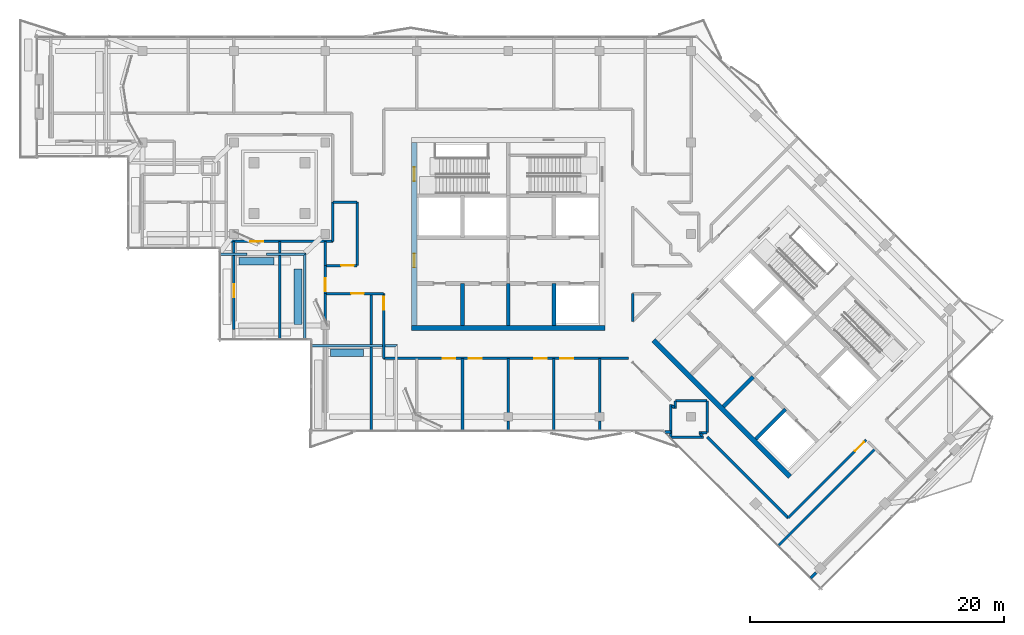
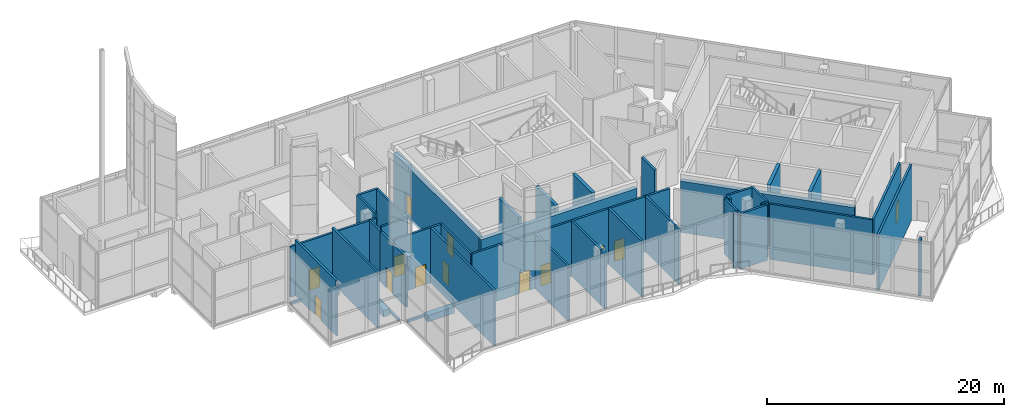
# One storey, part 12 of 19: 49 walls, 13 doors, 13 openings.
"""IFC4 building model written with IfcOpenShell, lengths in metres."""

from ifc_helpers import new_model, si_unit, direction, frame, frame_2d, origin, place, context, subcontext, project, spatial, polyline, rectangle, outline, extrude, material, layer, layer_set, type_object, element, fill, save


model = new_model("IFC4")

# Units and contexts
model_context = context("Model", 3, precision=1e-05, world=origin(), true_north=direction((0.0, 1.0)))
body_context = subcontext(model_context, "Body", "Model", "MODEL_VIEW")
ifc_project = project(units=[si_unit("LENGTHUNIT", "METRE"), si_unit("AREAUNIT", "SQUARE_METRE"), si_unit("VOLUMEUNIT", "CUBIC_METRE"), si_unit("PLANEANGLEUNIT", "RADIAN"), si_unit("MASSUNIT", "GRAM", prefix="KILO")], contexts=[model_context])

# Site, building, storey
site_placement = place(None, origin())
site = spatial("IfcSite", under=ifc_project, at=site_placement, CompositionType="ELEMENT")
building_placement = place(site_placement, origin())
building = spatial("IfcBuilding", under=site, at=building_placement, Name="Windrow Commons", CompositionType="ELEMENT")
storey_placement = place(building_placement, frame((0.0, 0.0, 284.6)))
storey = spatial("IfcBuildingStorey", under=building, at=storey_placement, Name="L78", CompositionType="ELEMENT", Elevation=284.6)

# Wall, openings, doors
ifc_material_1 = material(Name="Blockwork partition", Category="masonry")
ifc_layer_1 = layer(ifc_material_1, 0.2)
ifc_layer_set_1 = layer_set([ifc_layer_1], Name="IW-CORRIDOR-200")
wall_type_1 = type_object("IfcWallType", Name="IW-CORRIDOR-200", PredefinedType="PARTITIONING", material=ifc_layer_set_1)
wall_1_placement = place(storey_placement, frame((55.0, 47.8, 0.0), z_axis=(0.0, 0.0, 1.0), x_axis=(1.0, 0.0, 0.0)))
wall_1 = element("IfcWall", 1, at=wall_1_placement, inside=storey, type_object=wall_type_1, Name="W-L78-W004", PredefinedType="PARTITIONING", context=body_context, shape_type="SweptSolid", body=[
    extrude(rectangle(XDim=19.266, YDim=0.2, at=frame_2d((9.633, 0.0))), origin(), (0.0, 0.0, 1.0), 5.7),
])
opening_1_placement = place(wall_1_placement, frame((4.6325, 0.0, 0.0)))
opening_1 = element("IfcOpeningElement", 2, at=opening_1_placement, cuts=wall_1, Name="Opening D410F", PredefinedType="OPENING", context=body_context, shape_type="SweptSolid", body=[
    extrude(rectangle(XDim=1.0, YDim=2.1, at=frame_2d((0.5, 1.05))), frame((0.0, 0.11, 0.0), z_axis=(0.0, -1.0, 0.0), x_axis=(1.0, 0.0, 0.0)), (0.0, 0.0, 1.0), 0.22),
])
opening_2_placement = place(wall_1_placement, frame((6.7075, 0.0, 0.0)))
opening_2 = element("IfcOpeningElement", 3, at=opening_2_placement, cuts=wall_1, Name="Opening D410F", PredefinedType="OPENING", context=body_context, shape_type="SweptSolid", body=[
    extrude(rectangle(XDim=1.0, YDim=2.1, at=frame_2d((0.5, 1.05))), frame((0.0, 0.11, 0.0), z_axis=(0.0, -1.0, 0.0), x_axis=(1.0, 0.0, 0.0)), (0.0, 0.0, 1.0), 0.22),
])
opening_3_placement = place(wall_1_placement, frame((11.8325, 0.0, 0.0)))
opening_3 = element("IfcOpeningElement", 4, at=opening_3_placement, cuts=wall_1, Name="Opening D410F", PredefinedType="OPENING", context=body_context, shape_type="SweptSolid", body=[
    extrude(rectangle(XDim=1.0, YDim=2.1, at=frame_2d((0.5, 1.05))), frame((0.0, 0.11, 0.0), z_axis=(0.0, -1.0, 0.0), x_axis=(1.0, 0.0, 0.0)), (0.0, 0.0, 1.0), 0.22),
])
opening_4_placement = place(wall_1_placement, frame((13.9075, 0.0, 0.0)))
opening_4 = element("IfcOpeningElement", 5, at=opening_4_placement, cuts=wall_1, Name="Opening D410F", PredefinedType="OPENING", context=body_context, shape_type="SweptSolid", body=[
    extrude(rectangle(XDim=1.0, YDim=2.1, at=frame_2d((0.5, 1.05))), frame((0.0, 0.11, 0.0), z_axis=(0.0, -1.0, 0.0), x_axis=(1.0, 0.0, 0.0)), (0.0, 0.0, 1.0), 0.22),
])
ifc_material_2 = material(Name="Timber door leaf", Category="wood")
door_type_1 = type_object("IfcDoorType", Name="DT-SERVICE-1000", OperationType="SINGLE_SWING_LEFT", PredefinedType="DOOR", material=ifc_material_2)
door_1_placement = place(opening_1_placement, origin())
door_1 = element("IfcDoor", 6, at=door_1_placement, inside=storey, type_object=door_type_1, Name="D-L78-D017", OperationType="SINGLE_SWING_LEFT", OverallHeight=2.1, OverallWidth=1.0, PredefinedType="DOOR", context=body_context, shape_type="SweptSolid", body=[
    extrude(rectangle(XDim=1.0, YDim=2.1, at=frame_2d((0.5, 1.05))), frame((0.0, 0.025, 0.0), z_axis=(0.0, -1.0, 0.0), x_axis=(1.0, 0.0, 0.0)), (0.0, 0.0, 1.0), 0.05),
])
fill(opening_1, door_1)
door_2_placement = place(opening_2_placement, origin())
door_2 = element("IfcDoor", 7, at=door_2_placement, inside=storey, type_object=door_type_1, Name="D-L78-D018", OperationType="SINGLE_SWING_RIGHT", OverallHeight=2.1, OverallWidth=1.0, PredefinedType="DOOR", context=body_context, shape_type="SweptSolid", body=[
    extrude(rectangle(XDim=1.0, YDim=2.1, at=frame_2d((0.5, 1.05))), frame((0.0, 0.025, 0.0), z_axis=(0.0, -1.0, 0.0), x_axis=(1.0, 0.0, 0.0)), (0.0, 0.0, 1.0), 0.05),
])
fill(opening_2, door_2)
door_3_placement = place(opening_3_placement, origin())
door_3 = element("IfcDoor", 8, at=door_3_placement, inside=storey, type_object=door_type_1, Name="D-L78-D019", OperationType="SINGLE_SWING_LEFT", OverallHeight=2.1, OverallWidth=1.0, PredefinedType="DOOR", context=body_context, shape_type="SweptSolid", body=[
    extrude(rectangle(XDim=1.0, YDim=2.1, at=frame_2d((0.5, 1.05))), frame((0.0, 0.025, 0.0), z_axis=(0.0, -1.0, 0.0), x_axis=(1.0, 0.0, 0.0)), (0.0, 0.0, 1.0), 0.05),
])
fill(opening_3, door_3)
door_4_placement = place(opening_4_placement, origin())
door_4 = element("IfcDoor", 9, at=door_4_placement, inside=storey, type_object=door_type_1, Name="D-L78-D020", OperationType="SINGLE_SWING_RIGHT", OverallHeight=2.1, OverallWidth=1.0, PredefinedType="DOOR", context=body_context, shape_type="SweptSolid", body=[
    extrude(rectangle(XDim=1.0, YDim=2.1, at=frame_2d((0.5, 1.05))), frame((0.0, 0.025, 0.0), z_axis=(0.0, -1.0, 0.0), x_axis=(1.0, 0.0, 0.0)), (0.0, 0.0, 1.0), 0.05),
])
fill(opening_4, door_4)

# Wall
wall_2_placement = place(storey_placement, frame((80.4715, 41.6035, 0.0), z_axis=(0.0, 0.0, 1.0), x_axis=(0.7071067812, -0.7071067812, 0.0)))
element("IfcWall", 10, at=wall_2_placement, inside=storey, type_object=wall_type_1, Name="W-L78-W009", PredefinedType="PARTITIONING", context=body_context, shape_type="SweptSolid", body=[
    extrude(rectangle(XDim=9.0057, YDim=0.2, at=frame_2d((4.5028, 0.0))), origin(), (0.0, 0.0, 1.0), 5.7),
])

# Wall, opening, door
wall_3_placement = place(storey_placement, frame((86.8373, 35.2327, 0.0), z_axis=(0.0, 0.0, 1.0), x_axis=(0.7071067812, 0.7071067812, 0.0)))
wall_3 = element("IfcWall", 11, at=wall_3_placement, inside=storey, type_object=wall_type_1, Name="W-L78-W011", PredefinedType="PARTITIONING", context=body_context, shape_type="SweptSolid", body=[
    extrude(rectangle(XDim=8.6974, YDim=0.2, at=frame_2d((4.3487, 0.0))), origin(), (0.0, 0.0, 1.0), 5.7),
])
opening_5_placement = place(wall_3_placement, frame((7.45, 0.0, 0.0)))
opening_5 = element("IfcOpeningElement", 12, at=opening_5_placement, cuts=wall_3, Name="Opening D410F", PredefinedType="OPENING", context=body_context, shape_type="SweptSolid", body=[
    extrude(rectangle(XDim=1.0, YDim=2.1, at=frame_2d((0.5, 1.05))), frame((0.0, 0.11, 0.0), z_axis=(0.0, -1.0, 0.0), x_axis=(1.0, 0.0, 0.0)), (0.0, 0.0, 1.0), 0.22),
])
door_5_placement = place(opening_5_placement, origin())
door_5 = element("IfcDoor", 13, at=door_5_placement, inside=storey, type_object=door_type_1, Name="D-L78-D026", OperationType="SINGLE_SWING_LEFT", OverallHeight=2.1, OverallWidth=1.0, PredefinedType="DOOR", context=body_context, shape_type="SweptSolid", body=[
    extrude(rectangle(XDim=1.0, YDim=2.1, at=frame_2d((0.5, 1.05))), frame((0.0, 0.025, 0.0), z_axis=(0.0, -1.0, 0.0), x_axis=(1.0, 0.0, 0.0)), (0.0, 0.0, 1.0), 0.05),
])
fill(opening_5, door_5)

wall_4_placement = place(storey_placement, frame((55.0, 47.8, 0.0), z_axis=(0.0, 0.0, 1.0), x_axis=(0.0, 1.0, 0.0)))
wall_4 = element("IfcWall", 14, at=wall_4_placement, inside=storey, type_object=wall_type_1, Name="W-L78-W029", PredefinedType="PARTITIONING", context=body_context, shape_type="SweptSolid", body=[
    extrude(rectangle(XDim=5.1, YDim=0.2, at=frame_2d((2.55, 0.0))), origin(), (0.0, 0.0, 1.0), 5.7),
])
opening_6_placement = place(wall_4_placement, frame((3.8392, 0.0, 0.0)))
opening_6 = element("IfcOpeningElement", 15, at=opening_6_placement, cuts=wall_4, Name="Opening D410F", PredefinedType="OPENING", context=body_context, shape_type="SweptSolid", body=[
    extrude(rectangle(XDim=1.0, YDim=2.1, at=frame_2d((0.5, 1.05))), frame((0.0, 0.11, 0.0), z_axis=(0.0, -1.0, 0.0), x_axis=(1.0, 0.0, 0.0)), (0.0, 0.0, 1.0), 0.22),
])
door_6_placement = place(opening_6_placement, origin())
door_6 = element("IfcDoor", 16, at=door_6_placement, inside=storey, type_object=door_type_1, Name="D-L78-D014", OperationType="SINGLE_SWING_RIGHT", OverallHeight=2.1, OverallWidth=1.0, PredefinedType="DOOR", context=body_context, shape_type="SweptSolid", body=[
    extrude(rectangle(XDim=1.0, YDim=2.1, at=frame_2d((0.5, 1.05))), frame((0.0, 0.025, 0.0), z_axis=(0.0, -1.0, 0.0), x_axis=(1.0, 0.0, 0.0)), (0.0, 0.0, 1.0), 0.05),
])
fill(opening_6, door_6)

# Wall
wall_5_placement = place(storey_placement, frame((52.9, 55.102, 0.0), z_axis=(0.0, 0.0, 1.0), x_axis=(0.0, 1.0, 0.0)))
element("IfcWall", 17, at=wall_5_placement, inside=storey, type_object=wall_type_1, Name="W-L78-W031", PredefinedType="PARTITIONING", context=body_context, shape_type="SweptSolid", body=[
    extrude(rectangle(XDim=4.998, YDim=0.2, at=frame_2d((2.499, 0.0))), origin(), (0.0, 0.0, 1.0), 5.7),
])

# Wall, opening, door
wall_6_placement = place(storey_placement, frame((50.4, 52.9, 0.0), z_axis=(0.0, 0.0, 1.0), x_axis=(1.0, 0.0, 0.0)))
wall_6 = element("IfcWall", 18, at=wall_6_placement, inside=storey, type_object=wall_type_1, Name="W-L78-W035", PredefinedType="PARTITIONING", context=body_context, shape_type="SweptSolid", body=[
    extrude(rectangle(XDim=4.6, YDim=0.2, at=frame_2d((2.3, 0.0))), origin(), (0.0, 0.0, 1.0), 5.7),
])
opening_7_placement = place(wall_6_placement, frame((2.0325, 0.0, 0.0)))
opening_7 = element("IfcOpeningElement", 19, at=opening_7_placement, cuts=wall_6, Name="Opening D410F", PredefinedType="OPENING", context=body_context, shape_type="SweptSolid", body=[
    extrude(rectangle(XDim=1.0, YDim=2.1, at=frame_2d((0.5, 1.05))), frame((0.0, 0.11, 0.0), z_axis=(0.0, -1.0, 0.0), x_axis=(1.0, 0.0, 0.0)), (0.0, 0.0, 1.0), 0.22),
])
door_7_placement = place(opening_7_placement, origin())
door_7 = element("IfcDoor", 20, at=door_7_placement, inside=storey, type_object=door_type_1, Name="D-L78-D013", OperationType="SINGLE_SWING_LEFT", OverallHeight=2.1, OverallWidth=1.0, PredefinedType="DOOR", context=body_context, shape_type="SweptSolid", body=[
    extrude(rectangle(XDim=1.0, YDim=2.1, at=frame_2d((0.5, 1.05))), frame((0.0, 0.025, 0.0), z_axis=(0.0, -1.0, 0.0), x_axis=(1.0, 0.0, 0.0)), (0.0, 0.0, 1.0), 0.05),
])
fill(opening_7, door_7)

wall_7_placement = place(storey_placement, frame((50.4, 55.1, 0.0), z_axis=(0.0, 0.0, 1.0), x_axis=(1.0, 0.0, 0.0)))
wall_7 = element("IfcWall", 21, at=wall_7_placement, inside=storey, type_object=wall_type_1, Name="W-L78-W059", PredefinedType="PARTITIONING", context=body_context, shape_type="SweptSolid", body=[
    extrude(rectangle(XDim=2.5, YDim=0.2, at=frame_2d((1.25, 0.0))), origin(), (0.0, 0.0, 1.0), 5.7),
])
opening_8_placement = place(wall_7_placement, frame((1.2471, 0.0, 0.0)))
opening_8 = element("IfcOpeningElement", 22, at=opening_8_placement, cuts=wall_7, Name="Opening D410F", PredefinedType="OPENING", context=body_context, shape_type="SweptSolid", body=[
    extrude(rectangle(XDim=1.0, YDim=2.1, at=frame_2d((0.5, 1.05))), frame((0.0, 0.11, 0.0), z_axis=(0.0, -1.0, 0.0), x_axis=(1.0, 0.0, 0.0)), (0.0, 0.0, 1.0), 0.22),
])
door_8_placement = place(opening_8_placement, origin())
door_8 = element("IfcDoor", 23, at=door_8_placement, inside=storey, type_object=door_type_1, Name="D-L78-D000", OperationType="SINGLE_SWING_RIGHT", OverallHeight=2.1, OverallWidth=1.0, PredefinedType="DOOR", context=body_context, shape_type="SweptSolid", body=[
    extrude(rectangle(XDim=1.0, YDim=2.1, at=frame_2d((0.5, 1.05))), frame((0.0, 0.025, 0.0), z_axis=(0.0, -1.0, 0.0), x_axis=(1.0, 0.0, 0.0)), (0.0, 0.0, 1.0), 0.05),
])
fill(opening_8, door_8)

# Walls
for number, where, z_axis, x_axis, name in (
    (24, (80.45, 41.952, 0.0), (0.0, 0.0, 1.0), (0.0, 1.0, 0.0), "W-L78-W060"),
    (25, (77.952, 44.45, 0.0), (0.0, 0.0, 1.0), (1.0, 0.0, 0.0), "W-L78-W061"),
):
    element("IfcWall", number, at=place(storey_placement, frame(where, z_axis=z_axis, x_axis=x_axis)), inside=storey, type_object=wall_type_1, Name=name, PredefinedType="PARTITIONING", context=body_context, shape_type="SweptSolid", body=[
        extrude(rectangle(XDim=2.498, YDim=0.2, at=frame_2d((1.249, 0.0))), origin(), (0.0, 0.0, 1.0), 5.7),
    ])

# Wall, opening, door
wall_8_placement = place(storey_placement, frame((50.4, 52.9, 0.0), z_axis=(0.0, 0.0, 1.0), x_axis=(0.0, 1.0, 0.0)))
wall_8 = element("IfcWall", 26, at=wall_8_placement, inside=storey, type_object=wall_type_1, Name="W-L78-W064", PredefinedType="PARTITIONING", context=body_context, shape_type="SweptSolid", body=[
    extrude(rectangle(XDim=2.2, YDim=0.2, at=frame_2d((1.1, 0.0))), origin(), (0.0, 0.0, 1.0), 5.2),
])
opening_9_placement = place(wall_8_placement, frame((0.1933, 0.0, 0.0)))
opening_9 = element("IfcOpeningElement", 27, at=opening_9_placement, cuts=wall_8, Name="Opening D410F", PredefinedType="OPENING", context=body_context, shape_type="SweptSolid", body=[
    extrude(rectangle(XDim=1.0, YDim=2.1, at=frame_2d((0.5, 1.05))), frame((0.0, 0.11, 0.0), z_axis=(0.0, -1.0, 0.0), x_axis=(1.0, 0.0, 0.0)), (0.0, 0.0, 1.0), 0.22),
])
door_9_placement = place(opening_9_placement, origin())
door_9 = element("IfcDoor", 28, at=door_9_placement, inside=storey, type_object=door_type_1, Name="D-L78-D012", OperationType="SINGLE_SWING_LEFT", OverallHeight=2.1, OverallWidth=1.0, PredefinedType="DOOR", context=body_context, shape_type="SweptSolid", body=[
    extrude(rectangle(XDim=1.0, YDim=2.1, at=frame_2d((0.5, 1.05))), frame((0.0, 0.025, 0.0), z_axis=(0.0, -1.0, 0.0), x_axis=(1.0, 0.0, 0.0)), (0.0, 0.0, 1.0), 0.05),
])
fill(opening_9, door_9)

# Walls
wall_9_placement = place(storey_placement, frame((74.6, 50.714, 0.0), z_axis=(0.0, 0.0, 1.0), x_axis=(0.0, 1.0, 0.0)))
element("IfcWall", 29, at=wall_9_placement, inside=storey, type_object=wall_type_1, Name="W-L78-W068", PredefinedType="PARTITIONING", context=body_context, shape_type="SweptSolid", body=[
    extrude(rectangle(XDim=2.186, YDim=0.2, at=frame_2d((1.093, 0.0))), origin(), (0.0, 0.0, 1.0), 5.7),
])
wall_10_placement = place(storey_placement, frame((51.0, 60.1, 0.0), z_axis=(0.0, 0.0, 1.0), x_axis=(1.0, 0.0, 0.0)))
element("IfcWall", 30, at=wall_10_placement, inside=storey, type_object=wall_type_1, Name="W-L78-W077", PredefinedType="PARTITIONING", context=body_context, shape_type="SweptSolid", body=[
    extrude(rectangle(XDim=1.9, YDim=0.2, at=frame_2d((0.95, 0.0))), origin(), (0.0, 0.0, 1.0), 5.7),
])
for number, where, z_axis, x_axis, name in (
    (31, (79.834, 41.95, 0.0), (0.0, 0.0, 1.0), (1.0, 0.0, 0.0), "W-L78-W107"),
    (32, (77.95, 43.834, 0.0), (0.0, 0.0, 1.0), (0.0, 1.0, 0.0), "W-L78-W108"),
):
    element("IfcWall", number, at=place(storey_placement, frame(where, z_axis=z_axis, x_axis=x_axis)), inside=storey, type_object=wall_type_1, Name=name, PredefinedType="PARTITIONING", context=body_context, shape_type="SweptSolid", body=[
        extrude(rectangle(XDim=0.616, YDim=0.2, at=frame_2d((0.308, 0.0))), origin(), (0.0, 0.0, 1.0), 5.7),
    ])
for number, where, z_axis, x_axis, name in (
    (33, (77.696, 44.082, 0.0), (0.0, 0.0, 1.0), (0.7068844555, -0.707329037, 0.0), "W-L78-W116"),
    (34, (79.9229, 41.855, 0.0), (0.0, 0.0, 1.0), (0.707329037, -0.7068844555, 0.0), "W-L78-W117"),
):
    element("IfcWall", number, at=place(storey_placement, frame(where, z_axis=z_axis, x_axis=x_axis)), inside=storey, type_object=wall_type_1, Name=name, PredefinedType="PARTITIONING", context=body_context, shape_type="SweptSolid", body=[
        extrude(rectangle(XDim=0.2249, YDim=0.2, at=frame_2d((0.1124, 0.0))), origin(), (0.0, 0.0, 1.0), 5.7),
    ])
ifc_material_3 = material(Name="Blockwork partition", Category="masonry")
ifc_layer_2 = layer(ifc_material_3, 0.2)
ifc_layer_set_2 = layer_set([ifc_layer_2], Name="IW-PARTY-200")
wall_type_2 = type_object("IfcWallType", Name="IW-PARTY-200", PredefinedType="PARTITIONING", material=ifc_layer_set_2)
wall_11_placement = place(storey_placement, frame((86.0794, 33.0606, 0.0), z_axis=(0.0, 0.0, 1.0), x_axis=(0.7071067812, 0.7071067812, 0.0)))
element("IfcWall", 35, at=wall_11_placement, inside=storey, type_object=wall_type_2, Name="W-L78-W005", PredefinedType="PARTITIONING", context=body_context, shape_type="SweptSolid", body=[
    extrude(rectangle(XDim=10.7707, YDim=0.2, at=frame_2d((5.3853, 0.0))), origin(), (0.0, 0.0, 1.0), 5.7),
])
wall_12_placement = place(storey_placement, frame((54.0, 42.13, 0.0), z_axis=(0.0, 0.0, 1.0), x_axis=(0.0, 1.0, 0.0)))
element("IfcWall", 36, at=wall_12_placement, inside=storey, type_object=wall_type_2, Name="W-L78-W006", PredefinedType="PARTITIONING", context=body_context, shape_type="SweptSolid", body=[
    extrude(rectangle(XDim=10.77, YDim=0.2, at=frame_2d((5.385, 0.0))), origin(), (0.0, 0.0, 1.0), 5.7),
])

# Wall, opening, door
wall_13_placement = place(storey_placement, frame((42.6, 57.0, 0.0), z_axis=(0.0, 0.0, 1.0), x_axis=(1.0, 0.0, 0.0)))
wall_13 = element("IfcWall", 37, at=wall_13_placement, inside=storey, type_object=wall_type_2, Name="W-L78-W013", PredefinedType="PARTITIONING", context=body_context, shape_type="SweptSolid", body=[
    extrude(rectangle(XDim=8.4, YDim=0.2, at=frame_2d((4.2, 0.0))), origin(), (0.0, 0.0, 1.0), 5.2),
])
opening_10_placement = place(wall_13_placement, frame((1.9, 0.0, 0.0)))
opening_10 = element("IfcOpeningElement", 38, at=opening_10_placement, cuts=wall_13, Name="Opening D410F", PredefinedType="OPENING", context=body_context, shape_type="SweptSolid", body=[
    extrude(rectangle(XDim=1.0, YDim=2.1, at=frame_2d((0.5, 1.05))), frame((0.0, 0.11, 0.0), z_axis=(0.0, -1.0, 0.0), x_axis=(1.0, 0.0, 0.0)), (0.0, 0.0, 1.0), 0.22),
])
door_10_placement = place(opening_10_placement, origin())
door_10 = element("IfcDoor", 39, at=door_10_placement, inside=storey, type_object=door_type_1, Name="D-L78-D030", OperationType="SINGLE_SWING_LEFT", OverallHeight=2.1, OverallWidth=1.0, PredefinedType="DOOR", context=body_context, shape_type="SweptSolid", body=[
    extrude(rectangle(XDim=1.0, YDim=2.1, at=frame_2d((0.5, 1.05))), frame((0.0, 0.025, 0.0), z_axis=(0.0, -1.0, 0.0), x_axis=(1.0, 0.0, 0.0)), (0.0, 0.0, 1.0), 0.05),
])
fill(opening_10, door_10)

# Wall
wall_14_placement = place(storey_placement, frame((46.8, 49.33, 0.0), z_axis=(0.0, 0.0, 1.0), x_axis=(0.0, 1.0, 0.0)))
element("IfcWall", 40, at=wall_14_placement, inside=storey, type_object=wall_type_2, Name="W-L78-W015", PredefinedType="PARTITIONING", context=body_context, shape_type="SweptSolid", body=[
    extrude(rectangle(XDim=7.67, YDim=0.2, at=frame_2d((3.835, 0.0))), origin(), (0.0, 0.0, 1.0), 5.7),
])

# Wall, opening, door
wall_15_placement = place(storey_placement, frame((43.2, 50.05, 0.0), z_axis=(0.0, 0.0, 1.0), x_axis=(0.0, 1.0, 0.0)))
wall_15 = element("IfcWall", 41, at=wall_15_placement, inside=storey, type_object=wall_type_2, Name="W-L78-W020", PredefinedType="PARTITIONING", context=body_context, shape_type="SweptSolid", body=[
    extrude(rectangle(XDim=6.95, YDim=0.2, at=frame_2d((3.475, 0.0))), origin(), (0.0, 0.0, 1.0), 5.7),
])
opening_11_placement = place(wall_15_placement, frame((2.575, 0.0, 0.0)))
opening_11 = element("IfcOpeningElement", 42, at=opening_11_placement, cuts=wall_15, Name="Opening D310N", PredefinedType="OPENING", context=body_context, shape_type="SweptSolid", body=[
    extrude(rectangle(XDim=1.0, YDim=2.1, at=frame_2d((0.5, 1.05))), frame((0.0, 0.11, 0.0), z_axis=(0.0, -1.0, 0.0), x_axis=(1.0, 0.0, 0.0)), (0.0, 0.0, 1.0), 0.22),
])
ifc_material_4 = material(Name="Timber door leaf", Category="wood")
door_type_2 = type_object("IfcDoorType", Name="DT-AMENITY-1000", OperationType="SINGLE_SWING_LEFT", PredefinedType="DOOR", material=ifc_material_4)
door_11_placement = place(opening_11_placement, origin())
door_11 = element("IfcDoor", 43, at=door_11_placement, inside=storey, type_object=door_type_2, Name="D-L78-DX02", OperationType="SINGLE_SWING_LEFT", OverallHeight=2.1, OverallWidth=1.0, PredefinedType="DOOR", context=body_context, shape_type="SweptSolid", body=[
    extrude(rectangle(XDim=1.0, YDim=2.1, at=frame_2d((0.5, 1.05))), frame((0.0, 0.025, 0.0), z_axis=(0.0, -1.0, 0.0), x_axis=(1.0, 0.0, 0.0)), (0.0, 0.0, 1.0), 0.05),
])
fill(opening_11, door_11)

# Walls
for number, where, z_axis, x_axis, name in (
    (44, (61.2, 42.13, 0.0), (0.0, 0.0, 1.0), (0.0, 1.0, 0.0), "W-L78-W024"),
    (45, (68.4, 42.13, 0.0), (0.0, 0.0, 1.0), (0.0, 1.0, 0.0), "W-L78-W025"),
):
    element("IfcWall", number, at=place(storey_placement, frame(where, z_axis=z_axis, x_axis=x_axis)), inside=storey, type_object=wall_type_2, Name=name, PredefinedType="PARTITIONING", context=body_context, shape_type="SweptSolid", body=[
        extrude(rectangle(XDim=5.67, YDim=0.2, at=frame_2d((2.835, 0.0))), origin(), (0.0, 0.0, 1.0), 5.7),
    ])
for number, where, z_axis, x_axis, name in (
    (46, (64.8, 42.85, 0.0), (0.0, 0.0, 1.0), (0.0, 1.0, 0.0), "W-L78-W044"),
    (47, (72.0, 42.85, 0.0), (0.0, 0.0, 1.0), (0.0, 1.0, 0.0), "W-L78-W045"),
):
    element("IfcWall", number, at=place(storey_placement, frame(where, z_axis=z_axis, x_axis=x_axis)), inside=storey, type_object=wall_type_2, Name=name, PredefinedType="PARTITIONING", context=body_context, shape_type="SweptSolid", body=[
        extrude(rectangle(XDim=4.95, YDim=0.2, at=frame_2d((2.475, 0.0))), origin(), (0.0, 0.0, 1.0), 5.7),
    ])
wall_16_placement = place(storey_placement, frame((51.0, 57.0, 0.0), z_axis=(0.0, 0.0, 1.0), x_axis=(0.0, 1.0, 0.0)))
element("IfcWall", 48, at=wall_16_placement, inside=storey, type_object=wall_type_2, Name="W-L78-W051", PredefinedType="PARTITIONING", context=body_context, shape_type="SweptSolid", body=[
    extrude(rectangle(XDim=3.1, YDim=0.2, at=frame_2d((1.55, 0.0))), origin(), (0.0, 0.0, 1.0), 5.7),
])
for number, where, z_axis, x_axis, name in (
    (49, (77.6, 41.602, 0.0), (0.0, 0.0, 1.0), (0.0, 1.0, 0.0), "W-L78-W057"),
    (50, (77.602, 41.6, 0.0), (0.0, 0.0, 1.0), (1.0, 0.0, 0.0), "W-L78-W058"),
):
    element("IfcWall", number, at=place(storey_placement, frame(where, z_axis=z_axis, x_axis=x_axis)), inside=storey, type_object=wall_type_2, Name=name, PredefinedType="PARTITIONING", context=body_context, shape_type="SweptSolid", body=[
        extrude(rectangle(XDim=2.582, YDim=0.2, at=frame_2d((1.291, 0.0))), origin(), (0.0, 0.0, 1.0), 5.7),
    ])
wall_17_placement = place(storey_placement, frame((50.4, 50.75, 0.0), z_axis=(0.0, 0.0, 1.0), x_axis=(0.0, 1.0, 0.0)))
element("IfcWall", 51, at=wall_17_placement, inside=storey, type_object=wall_type_2, Name="W-L78-W073", PredefinedType="PARTITIONING", context=body_context, shape_type="SweptSolid", body=[
    extrude(rectangle(XDim=2.15, YDim=0.2, at=frame_2d((1.075, 0.0))), origin(), (0.0, 0.0, 1.0), 5.2),
])
wall_18_placement = place(storey_placement, frame((50.4, 55.1, 0.0), z_axis=(0.0, 0.0, 1.0), x_axis=(0.0, 1.0, 0.0)))
element("IfcWall", 52, at=wall_18_placement, inside=storey, type_object=wall_type_2, Name="W-L78-W078", PredefinedType="PARTITIONING", context=body_context, shape_type="SweptSolid", body=[
    extrude(rectangle(XDim=1.9, YDim=0.2, at=frame_2d((0.95, 0.0))), origin(), (0.0, 0.0, 1.0), 5.2),
])
for number, where, z_axis, x_axis, name in (
    (53, (64.8, 42.13, 0.0), (0.0, 0.0, 1.0), (0.0, 1.0, 0.0), "W-L78-W099"),
    (54, (72.0, 42.13, 0.0), (0.0, 0.0, 1.0), (0.0, 1.0, 0.0), "W-L78-W100"),
):
    element("IfcWall", number, at=place(storey_placement, frame(where, z_axis=z_axis, x_axis=x_axis)), inside=storey, type_object=wall_type_2, Name=name, PredefinedType="PARTITIONING", context=body_context, shape_type="SweptSolid", body=[
        extrude(rectangle(XDim=0.72, YDim=0.2, at=frame_2d((0.36, 0.0))), origin(), (0.0, 0.0, 1.0), 5.7),
    ])
wall_19_placement = place(storey_placement, frame((88.625, 30.515, 0.0), z_axis=(0.0, 0.0, 1.0), x_axis=(0.7071067812, 0.7071067812, 0.0)))
element("IfcWall", 55, at=wall_19_placement, inside=storey, type_object=wall_type_2, Name="W-L78-W112", PredefinedType="PARTITIONING", context=body_context, shape_type="SweptSolid", body=[
    extrude(rectangle(XDim=0.5742, YDim=0.2, at=frame_2d((0.2871, 0.0))), origin(), (0.0, 0.0, 1.0), 5.7),
])
wall_20_placement = place(storey_placement, frame((77.14, 42.0, 0.0), z_axis=(0.0, 0.0, 1.0), x_axis=(1.0, 0.0, 0.0)))
element("IfcWall", 56, at=wall_20_placement, inside=storey, type_object=wall_type_2, Name="W-L78-W118", PredefinedType="PARTITIONING", context=body_context, shape_type="SweptSolid", body=[
    extrude(rectangle(XDim=0.46, YDim=0.2, at=frame_2d((0.23, 0.0))), origin(), (0.0, 0.0, 1.0), 5.7),
])
ifc_material_5 = material(Name="Concrete C30/37 planter wall", Category="concrete")
ifc_layer_3 = layer(ifc_material_5, 0.6)
ifc_layer_set_3 = layer_set([ifc_layer_3], Name="Planter 600x450")
wall_type_3 = type_object("IfcWallType", Name="Planter 600x450", PredefinedType="SOLIDWALL", material=ifc_layer_set_3)
wall_21_placement = place(storey_placement, frame((48.25, 50.45, 0.0), z_axis=(0.0, 0.0, 1.0), x_axis=(0.0, 1.0, 0.0)))
element("IfcWall", 57, at=wall_21_placement, inside=storey, type_object=wall_type_3, Name="PLANTER TR-L78-3.1", PredefinedType="SOLIDWALL", context=body_context, shape_type="SweptSolid", body=[
    extrude(rectangle(XDim=4.4, YDim=0.6, at=frame_2d((2.2, 0.0))), origin(), (0.0, 0.0, 1.0), 0.65),
])
wall_22_placement = place(storey_placement, frame((46.38, 55.45, 0.0), z_axis=(0.0, 0.0, 1.0), x_axis=(-1.0, 0.0, 0.0)))
element("IfcWall", 58, at=wall_22_placement, inside=storey, type_object=wall_type_3, Name="PLANTER TR-L78-3.2", PredefinedType="SOLIDWALL", context=body_context, shape_type="SweptSolid", body=[
    extrude(rectangle(XDim=2.76, YDim=0.6, at=frame_2d((1.38, 0.0))), origin(), (0.0, 0.0, 1.0), 0.65),
])
wall_23_placement = place(storey_placement, frame((53.4, 48.25, 0.0), z_axis=(0.0, 0.0, 1.0), x_axis=(-1.0, 0.0, 0.0)))
element("IfcWall", 59, at=wall_23_placement, inside=storey, type_object=wall_type_3, Name="PLANTER TR-L78-4.2", PredefinedType="SOLIDWALL", context=body_context, shape_type="SweptSolid", body=[
    extrude(rectangle(XDim=2.58, YDim=0.6, at=frame_2d((1.29, 0.0))), origin(), (0.0, 0.0, 1.0), 0.65),
])
ifc_material_6 = material(Name="Concrete C40/50", Category="concrete")
ifc_layer_4 = layer(ifc_material_6, 0.4)
ifc_layer_set_4 = layer_set([ifc_layer_4], Name="RC CORE WALL 400 C40/50")
wall_type_4 = type_object("IfcWallType", Name="RC CORE WALL 400 C40/50", PredefinedType="SHEAR", material=ifc_layer_set_4)
wall_24_placement = place(storey_placement, frame((57.2, 50.2, -0.3), z_axis=(0.0, 0.0, 1.0), x_axis=(1.0, 0.0, 0.0)))
element("IfcWall", 60, at=wall_24_placement, inside=storey, type_object=wall_type_4, Name="Core A wall outer-S", PredefinedType="SHEAR", context=body_context, shape_type="SweptSolid", body=[
    extrude(rectangle(XDim=15.2, YDim=0.4, at=frame_2d((7.6, 0.0))), origin(), (0.0, 0.0, 1.0), 5.3),
])

# Wall, openings, doors
wall_25_placement = place(storey_placement, frame((57.4, 50.4, -0.3), z_axis=(0.0, 0.0, 1.0), x_axis=(0.0, 1.0, 0.0)))
wall_25 = element("IfcWall", 61, at=wall_25_placement, inside=storey, type_object=wall_type_4, Name="Core A wall outer-W", PredefinedType="SHEAR", context=body_context, shape_type="SweptSolid", body=[
    extrude(rectangle(XDim=14.4, YDim=0.4, at=frame_2d((7.2, 0.0))), origin(), (0.0, 0.0, 1.0), 5.3),
])
opening_12_placement = place(wall_25_placement, frame((4.55, 0.0, 0.3)))
opening_12 = element("IfcOpeningElement", 62, at=opening_12_placement, cuts=wall_25, Name="Opening D6", PredefinedType="OPENING", context=body_context, shape_type="SweptSolid", body=[
    extrude(rectangle(XDim=1.1, YDim=2.1, at=frame_2d((0.55, 1.05))), frame((0.0, 0.21, 0.0), z_axis=(0.0, -1.0, 0.0), x_axis=(1.0, 0.0, 0.0)), (0.0, 0.0, 1.0), 0.42),
])
opening_13_placement = place(wall_25_placement, frame((11.35, 0.0, 0.3)))
opening_13 = element("IfcOpeningElement", 63, at=opening_13_placement, cuts=wall_25, Name="Opening D7", PredefinedType="OPENING", context=body_context, shape_type="SweptSolid", body=[
    extrude(rectangle(XDim=1.1, YDim=2.1, at=frame_2d((0.55, 1.05))), frame((0.0, 0.21, 0.0), z_axis=(0.0, -1.0, 0.0), x_axis=(1.0, 0.0, 0.0)), (0.0, 0.0, 1.0), 0.42),
])
ifc_material_7 = material(Name="Steel fire door leaf", Category="steel")
door_type_3 = type_object("IfcDoorType", Name="Core lobby door 1100", OperationType="SINGLE_SWING_LEFT", PredefinedType="DOOR", material=ifc_material_7)
door_12_placement = place(opening_12_placement, origin())
door_12 = element("IfcDoor", 64, at=door_12_placement, inside=storey, type_object=door_type_3, Name="Lift lobby door", OperationType="DOUBLE_DOOR_SINGLE_SWING", OverallHeight=2.1, OverallWidth=1.1, PredefinedType="DOOR", context=body_context, shape_type="SweptSolid", body=[
    extrude(rectangle(XDim=1.1, YDim=2.1, at=frame_2d((0.55, 1.05))), frame((0.0, 0.025, 0.0), z_axis=(0.0, -1.0, 0.0), x_axis=(1.0, 0.0, 0.0)), (0.0, 0.0, 1.0), 0.05),
])
fill(opening_12, door_12)
ifc_material_8 = material(Name="Steel fire door leaf", Category="steel")
door_type_4 = type_object("IfcDoorType", Name="Stair door 1100", OperationType="SINGLE_SWING_LEFT", PredefinedType="DOOR", material=ifc_material_8)
door_13_placement = place(opening_13_placement, origin())
door_13 = element("IfcDoor", 65, at=door_13_placement, inside=storey, type_object=door_type_4, Name="Stair door", OperationType="SINGLE_SWING_LEFT", OverallHeight=2.1, OverallWidth=1.1, PredefinedType="DOOR", context=body_context, shape_type="SweptSolid", body=[
    extrude(rectangle(XDim=1.1, YDim=2.1, at=frame_2d((0.55, 1.05))), frame((0.0, 0.025, 0.0), z_axis=(0.0, -1.0, 0.0), x_axis=(1.0, 0.0, 0.0)), (0.0, 0.0, 1.0), 0.05),
])
fill(opening_13, door_13)

# Walls
wall_26_placement = place(storey_placement, frame((76.2302, 49.2312, -0.3), z_axis=(0.0, 0.0, 1.0), x_axis=(0.7071034917, -0.7071100706, 0.0)))
element("IfcWall", 66, at=wall_26_placement, inside=storey, type_object=wall_type_4, Name="Core B wall outer-S", PredefinedType="SHEAR", context=body_context, shape_type="SweptSolid", body=[
    extrude(rectangle(XDim=15.2, YDim=0.4, at=frame_2d((7.6, 0.0))), origin(), (0.0, 0.0, 1.0), 5.3),
])
ifc_material_9 = material(Name="Concrete C40/50", Category="concrete")
ifc_layer_5 = layer(ifc_material_9, 0.3)
ifc_layer_set_5 = layer_set([ifc_layer_5], Name="RC SHAFT WALL 300 C40/50")
wall_type_5 = type_object("IfcWallType", Name="RC SHAFT WALL 300 C40/50", PredefinedType="SOLIDWALL", material=ifc_layer_set_5)
for number, where, z_axis, x_axis, name in (
    (67, (61.2, 50.4, 0.0), (0.0, 0.0, 1.0), (0.0, 1.0, 0.0), "Core A wall shaft-S1"),
    (68, (64.8, 50.4, 0.0), (0.0, 0.0, 1.0), (0.0, 1.0, 0.0), "Core A wall shaft-S2"),
    (69, (68.4, 50.4, 0.0), (0.0, 0.0, 1.0), (0.0, 1.0, 0.0), "Core A wall shaft-S3"),
):
    element("IfcWall", number, at=place(storey_placement, frame(where, z_axis=z_axis, x_axis=x_axis)), inside=storey, type_object=wall_type_5, Name=name, PredefinedType="SOLIDWALL", context=body_context, shape_type="SweptSolid", body=[
        extrude(rectangle(XDim=3.3, YDim=0.3, at=frame_2d((1.65, 0.0))), origin(), (0.0, 0.0, 1.0), 5.7),
    ])
for number, where, z_axis, x_axis, name in (
    (70, (81.7456, 43.9986, 0.0), (0.0, 0.0, 1.0), (0.7071067812, 0.7071067812, 0.0), "Core B wall shaft-S2"),
    (71, (84.2912, 41.453, 0.0), (0.0, 0.0, 1.0), (0.7071067812, 0.7071067812, 0.0), "Core B wall shaft-S3"),
):
    element("IfcWall", number, at=place(storey_placement, frame(where, z_axis=z_axis, x_axis=x_axis)), inside=storey, type_object=wall_type_5, Name=name, PredefinedType="SOLIDWALL", context=body_context, shape_type="SweptSolid", body=[
        extrude(rectangle(XDim=3.2999, YDim=0.3, at=frame_2d((1.65, 0.0))), origin(), (0.0, 0.0, 1.0), 5.7),
    ])
ifc_material_10 = material(Name="Brick masonry, red clay brick", Category="masonry")
ifc_layer_6 = layer(ifc_material_10, 0.2)
ifc_layer_set_6 = layer_set([ifc_layer_6], Name="Terrace edge parapet 200")
wall_type_6 = type_object("IfcWallType", Name="Terrace edge parapet 200", PredefinedType="PARAPET", material=ifc_layer_set_6)
wall_27_placement = place(storey_placement, frame((48.8, 49.3, 0.0), z_axis=(0.0, 0.0, 1.0), x_axis=(0.0, 1.0, 0.0)))
element("IfcWall", 72, at=wall_27_placement, inside=storey, type_object=wall_type_6, Name="Terrace parapet TR-L78-3.1.1", PredefinedType="PARAPET", context=body_context, shape_type="SweptSolid", body=[
    extrude(outline(polyline([(0.0, -0.1), (6.8, -0.1), (6.6, 0.1), (0.0, 0.1), (0.0, -0.1)])), origin(), (0.0, 0.0, 1.0), 0.25),
])
wall_28_placement = place(storey_placement, frame((56.0, 48.8, 0.0), z_axis=(0.0, 0.0, 1.0), x_axis=(-1.0, 0.0, 0.0)))
element("IfcWall", 73, at=wall_28_placement, inside=storey, type_object=wall_type_6, Name="Terrace parapet TR-L78-4.1.2", PredefinedType="PARAPET", context=body_context, shape_type="SweptSolid", body=[
    extrude(outline(polyline([(-0.1, -0.1), (6.7, -0.1), (6.7, 0.1), (0.1, 0.1), (-0.1, -0.1)])), origin(), (0.0, 0.0, 1.0), 0.25),
])
wall_29_placement = place(storey_placement, frame((48.8, 56.0, 0.0), z_axis=(0.0, 0.0, 1.0), x_axis=(-1.0, 0.0, 0.0)))
element("IfcWall", 74, at=wall_29_placement, inside=storey, type_object=wall_type_6, Name="Terrace parapet TR-L78-3.1.2", PredefinedType="PARAPET", context=body_context, shape_type="SweptSolid", body=[
    extrude(outline(polyline([(-0.1, -0.1), (3.03, -0.1), (3.03, 0.1), (0.1, 0.1), (-0.1, -0.1)])), origin(), (0.0, 0.0, 1.0), 0.25),
])
wall_30_placement = place(storey_placement, frame((44.23, 56.0, 0.0), z_axis=(0.0, 0.0, 1.0), x_axis=(-1.0, 0.0, 0.0)))
element("IfcWall", 75, at=wall_30_placement, inside=storey, type_object=wall_type_6, Name="Terrace parapet TR-L78-3.1.2", PredefinedType="PARAPET", context=body_context, shape_type="SweptSolid", body=[
    extrude(outline(polyline([(0.0, -0.1), (2.13, -0.1), (2.13, 0.1), (0.0, 0.1), (0.0, -0.1)])), origin(), (0.0, 0.0, 1.0), 0.25),
])

save(model, "model.ifc")
